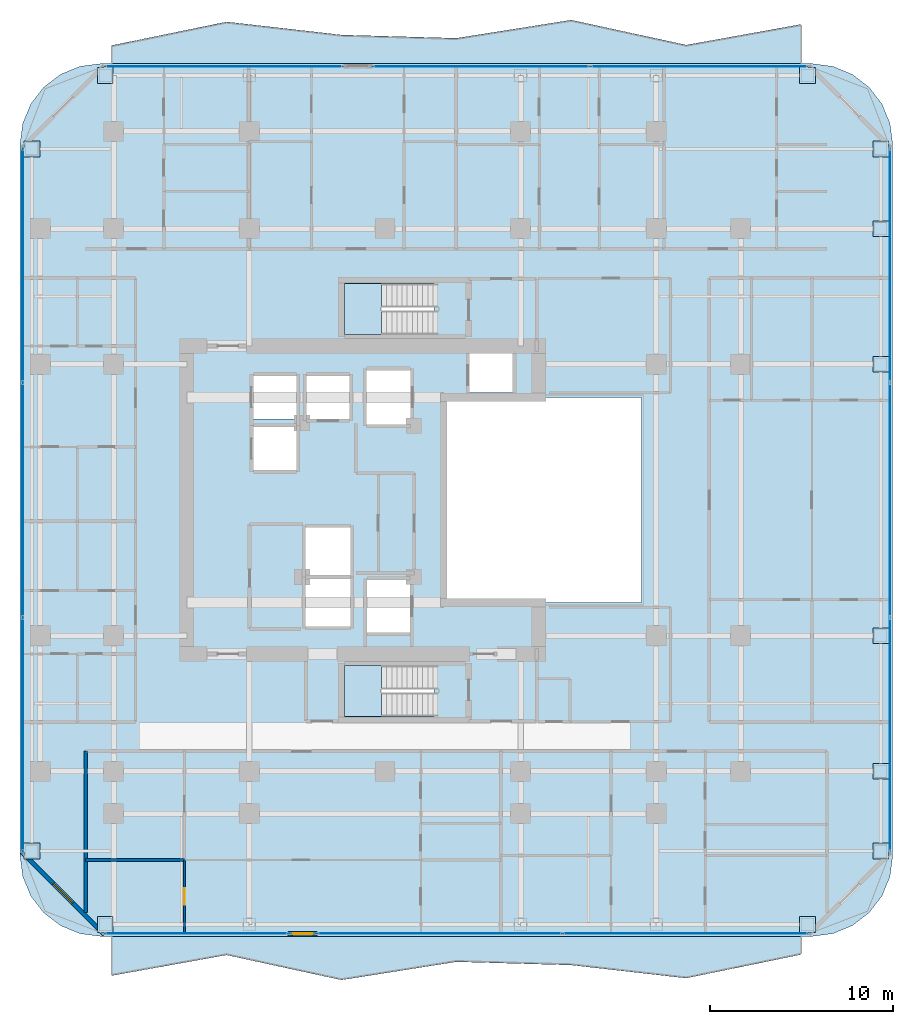
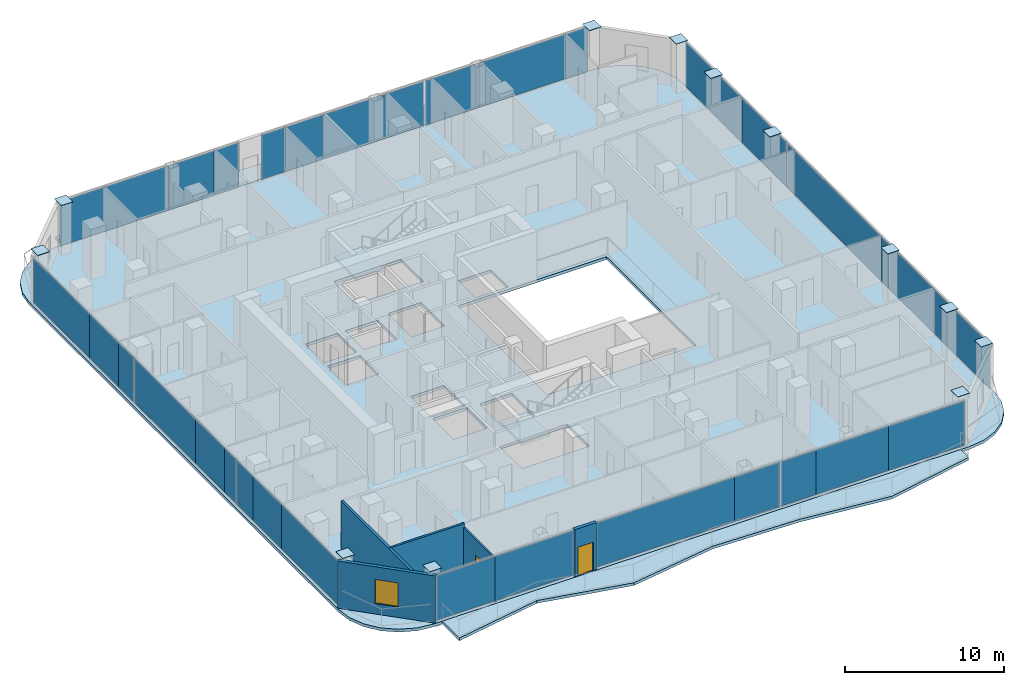
# One storey, part 19 of 27: 44 plates, 5 slabs, 5 walls, 2 doors, 1 window, 3 openings, 8 elements without a shape of their own.
"""IFC4 building model written with IfcOpenShell, lengths in metres."""

from ifc_helpers import new_model, si_unit, direction, frame, frame_2d, origin, origin_2d, place, context, subcontext, project, spatial, polyline, rectangle, outline, extrude, material, layer, layer_set, type_object, element, fill, aggregate, save


model = new_model("IFC4")

# Units and contexts
model_context = context("Model", 3, precision=1e-05, world=origin(), true_north=direction((0.0, 1.0)))
body_context = subcontext(model_context, "Body", "Model", "MODEL_VIEW")
ifc_project = project(units=[si_unit("LENGTHUNIT", "METRE"), si_unit("AREAUNIT", "SQUARE_METRE"), si_unit("VOLUMEUNIT", "CUBIC_METRE"), si_unit("PLANEANGLEUNIT", "RADIAN"), si_unit("MASSUNIT", "GRAM", prefix="KILO")], contexts=[model_context])

# Site, building, storey
site_placement = place(None, origin())
site = spatial("IfcSite", under=ifc_project, at=site_placement, CompositionType="ELEMENT")
building_placement = place(site_placement, origin())
building = spatial("IfcBuilding", under=site, at=building_placement, Name="Khorvyn Point Tower", CompositionType="ELEMENT")
storey_placement = place(building_placement, frame((0.0, 0.0, 164.10009765625)))
storey = spatial("IfcBuildingStorey", under=building, at=storey_placement, Name="L40", CompositionType="ELEMENT", Elevation=164.10009765625)

# Slabs
ifc_material_1 = material(Name="Concrete C35/45", Category="concrete")
ifc_layer_1 = layer(ifc_material_1, 0.219970703125)
ifc_layer_set_1 = layer_set([ifc_layer_1], Name="Concrete C35/45 Structural Floor Slab 220")
slab_type_1 = type_object("IfcSlabType", Name="Concrete C35/45 Structural Floor Slab 220", PredefinedType="FLOOR", material=ifc_layer_set_1)
slab_1_placement = place(storey_placement, frame((0.0, 0.0, -0.22021484375)))
element("IfcSlab", 1, at=slab_1_placement, inside=storey, type_object=slab_type_1, Name="L40 Main Structural Floor Slab", PredefinedType="FLOOR", context=body_context, shape_type="SweptSolid", body=[
    extrude(outline(polyline([(-15.5, -23.800048828125), (-16.638916015625, -23.650146484375), (-17.699951171875, -23.21044921875), (-18.611328125, -22.51123046875), (-19.310546875, -21.60009765625), (-19.75, -20.538818359375), (-19.89990234375, -19.39990234375), (-19.89990234375, 19.39990234375), (-19.75, 20.538818359375), (-19.310546875, 21.60009765625), (-18.611328125, 22.51123046875), (-17.699951171875, 23.21044921875), (-16.638916015625, 23.650146484375), (-15.5, 23.800048828125), (23.300048828125, 23.800048828125), (24.438720703125, 23.650146484375), (25.5, 23.21044921875), (26.411376953125, 22.51123046875), (27.110595703125, 21.60009765625), (27.550048828125, 20.538818359375), (27.699951171875, 19.39990234375), (27.699951171875, -19.39990234375), (27.550048828125, -20.538818359375), (27.110595703125, -21.60009765625), (26.411376953125, -22.51123046875), (25.5, -23.21044921875), (24.438720703125, -23.650146484375), (23.300048828125, -23.800048828125), (-15.5, -23.800048828125)]), holes=[polyline([(-1.875, -6.89990234375), (-1.875, -4.300048828125), (-4.324951171875, -4.300048828125), (-4.324951171875, -6.89990234375), (-1.875, -6.89990234375)]), polyline([(-1.875, -4.10009765625), (-1.875, -1.5), (-4.324951171875, -1.5), (-4.324951171875, -4.10009765625), (-1.875, -4.10009765625)]), polyline([(-4.824951171875, 1.625), (-4.824951171875, 3.97509765625), (-7.175048828125, 3.97509765625), (-7.175048828125, 1.625), (-4.824951171875, 1.625)]), polyline([(-7.175048828125, 4.425048828125), (-4.824951171875, 4.425048828125), (-4.824951171875, 6.77490234375), (-7.175048828125, 6.77490234375), (-7.175048828125, 4.425048828125)]), polyline([(-4.27490234375, 4.425048828125), (-1.925048828125, 4.425048828125), (-1.925048828125, 6.77490234375), (-4.27490234375, 6.77490234375), (-4.27490234375, 4.425048828125)]), polyline([(1.39990234375, 4.125), (1.39990234375, 7.074951171875), (-1.0, 7.074951171875), (-1.0, 4.125), (1.39990234375, 4.125)]), polyline([(-2.199951171875, -11.820068359375), (2.679931640625, -11.820068359375), (2.679931640625, -9.02001953125), (-2.199951171875, -9.02001953125), (-2.199951171875, -11.820068359375)]), polyline([(-0.97509765625, -7.22509765625), (1.375, -7.22509765625), (1.375, -4.375), (-0.97509765625, -4.375), (-0.97509765625, -7.22509765625)]), polyline([(14.0, -5.60009765625), (14.0, 5.60009765625), (3.199951171875, 5.60009765625), (3.199951171875, -5.60009765625), (14.0, -5.60009765625)]), polyline([(4.625, 5.85009765625), (6.97509765625, 5.85009765625), (6.97509765625, 7.97998046875), (4.625, 7.97998046875), (4.625, 5.85009765625)]), polyline([(-2.199951171875, 9.02001953125), (2.679931640625, 9.02001953125), (2.679931640625, 11.820068359375), (-2.199951171875, 11.820068359375), (-2.199951171875, 9.02001953125)])]), origin(), (0.0, 0.0, 1.0), 0.22021484375),
])
ifc_material_2 = material(Name="Concrete C40/50", Category="concrete")
ifc_layer_2 = layer(ifc_material_2, 0.2099609375)
ifc_layer_set_2 = layer_set([ifc_layer_2], Name="Concrete C40/50 Rippling Balcony Slab 210")
slab_type_2 = type_object("IfcSlabType", Name="Concrete C40/50 Rippling Balcony Slab 210", PredefinedType="USERDEFINED", material=ifc_layer_set_2)
slab_2_placement = place(storey_placement, frame((0.0, 0.0, -0.210205078125)))
element("IfcSlab", 2, at=slab_2_placement, inside=storey, type_object=slab_type_2, Name="L40 North Sinusoidal Rippling Balcony", ObjectType="BALCONY", PredefinedType="USERDEFINED", context=body_context, shape_type="SweptSolid", body=[
    extrude(outline(polyline([(22.699951171875, 23.800048828125), (22.699951171875, 25.943603515625), (16.433349609375, 24.817138671875), (10.166748046875, 26.1796875), (3.89990234375, 25.1884765625), (-2.36669921875, 25.36669921875), (-8.63330078125, 26.080810546875), (-14.89990234375, 24.79248046875), (-14.89990234375, 23.800048828125), (22.699951171875, 23.800048828125)])), origin(), (0.0, 0.0, 1.0), 0.210205078125),
])
slab_3_placement = place(storey_placement, frame((0.0, 0.0, -0.210205078125)))
element("IfcSlab", 3, at=slab_3_placement, inside=storey, type_object=slab_type_2, Name="L40 South Sinusoidal Rippling Balcony", ObjectType="BALCONY", PredefinedType="USERDEFINED", context=body_context, shape_type="SweptSolid", body=[
    extrude(outline(polyline([(-14.89990234375, -23.800048828125), (-14.89990234375, -25.943603515625), (-8.63330078125, -24.817138671875), (-2.36669921875, -26.1796875), (3.89990234375, -25.1884765625), (10.166748046875, -25.36669921875), (16.433349609375, -26.080810546875), (22.699951171875, -24.79248046875), (22.699951171875, -23.800048828125), (-14.89990234375, -23.800048828125)])), origin(), (0.0, 0.0, 1.0), 0.210205078125),
])

# Stair, slab
stair_type = type_object("IfcStairType", Name="Tower Concrete C40/50 Dogleg Exit Stair", PredefinedType="HALF_TURN_STAIR", material=ifc_material_2)
stair_1_placement = place(storey_placement, origin())
stair_1 = element("IfcStair", 4, at=stair_1_placement, inside=storey, type_object=stair_type, Name="L40 Tower Smokeproof Exit Stair South", PredefinedType="HALF_TURN_STAIR")
ifc_layer_3 = layer(ifc_material_2, 0.199951171875)
ifc_layer_set_3 = layer_set([ifc_layer_3], Name="Concrete C40/50 Stair Landing Slab 200")
slab_type_3 = type_object("IfcSlabType", Name="Concrete C40/50 Stair Landing Slab 200", PredefinedType="LANDING", material=ifc_layer_set_3)
slab_4_placement = place(storey_placement, frame((0.0, 0.0, 1.75)))
slab_4 = element("IfcSlab", 5, at=slab_4_placement, type_object=slab_type_3, Name="ST-01 landing 1", PredefinedType="LANDING", context=body_context, shape_type="SweptSolid", body=[
    extrude(outline(polyline([(-0.179931640625, -9.02001953125), (-2.199951171875, -9.02001953125), (-2.199951171875, -11.820068359375), (-0.179931640625, -11.820068359375), (-0.179931640625, -9.02001953125)])), origin(), (0.0, 0.0, 1.0), 0.199951171875),
])
aggregate(stair_1, [slab_4])

stair_2_placement = place(storey_placement, origin())
stair_2 = element("IfcStair", 6, at=stair_2_placement, inside=storey, type_object=stair_type, Name="L40 Tower Smokeproof Exit Stair North", PredefinedType="HALF_TURN_STAIR")
slab_5_placement = place(storey_placement, frame((0.0, 0.0, 1.75)))
slab_5 = element("IfcSlab", 7, at=slab_5_placement, type_object=slab_type_3, Name="ST-02 landing 1", PredefinedType="LANDING", context=body_context, shape_type="SweptSolid", body=[
    extrude(outline(polyline([(-0.179931640625, 11.820068359375), (-2.199951171875, 11.820068359375), (-2.199951171875, 9.02001953125), (-0.179931640625, 9.02001953125), (-0.179931640625, 11.820068359375)])), origin(), (0.0, 0.0, 1.0), 0.199951171875),
])
aggregate(stair_2, [slab_5])

# Plates
ifc_material_3 = material(Name="Steel S450", Category="steel")
ifc_layer_4 = layer(ifc_material_3, 0.031982421875)
ifc_layer_set_4 = layer_set([ifc_layer_4], Name="Steel S450 Exoskeleton End Cap Plate 32")
plate_type_1 = type_object("IfcPlateType", Name="Steel S450 Exoskeleton End Cap Plate 32", PredefinedType="USERDEFINED", material=ifc_layer_set_4)
for number, where, z_axis, x_axis, name in (
    (8, (-15.25, -23.14990234375, 3.89404296875), (0.0, 0.0, 1.0), (1.0, 0.0, 0.0), "Plate"),
    (9, (23.050048828125, -23.14990234375, 3.89404296875), (0.0, 0.0, 1.0), (1.0, 0.0, 0.0), "Plate"),
    (10, (-15.25, 23.14990234375, 3.89404296875), (0.0, 0.0, 1.0), (1.0, 0.0, 0.0), "Plate"),
    (11, (23.050048828125, 23.14990234375, 3.89404296875), (0.0, 0.0, 1.0), (1.0, 0.0, 0.0), "Plate"),
    (12, (-19.25, -19.14990234375, 3.89404296875), (0.0, 0.0, 1.0), (1.0, 0.0, 0.0), "Plate"),
    (13, (-19.25, 19.14990234375, 3.89404296875), (0.0, 0.0, 1.0), (1.0, 0.0, 0.0), "Plate"),
    (14, (27.050048828125, -19.14990234375, 3.89404296875), (0.0, 0.0, 1.0), (1.0, 0.0, 0.0), "Plate"),
    (15, (27.050048828125, 19.14990234375, 3.89404296875), (0.0, 0.0, 1.0), (1.0, 0.0, 0.0), "Plate"),
    (16, (27.050048828125, -14.800048828125, 3.89404296875), (0.0, 0.0, 1.0), (1.0, 0.0, 0.0), "Plate"),
    (17, (27.050048828125, -7.39990234375, 3.89404296875), (0.0, 0.0, 1.0), (1.0, 0.0, 0.0), "Plate"),
    (18, (27.050048828125, 7.39990234375, 3.89404296875), (0.0, 0.0, 1.0), (1.0, 0.0, 0.0), "Plate"),
    (19, (27.050048828125, 14.800048828125, 3.89404296875), (0.0, 0.0, 1.0), (1.0, 0.0, 0.0), "Plate"),
):
    element("IfcPlate", number, at=place(storey_placement, frame(where, z_axis=z_axis, x_axis=x_axis)), inside=storey, type_object=plate_type_1, Name=name, ObjectType="GUSSET", PredefinedType="USERDEFINED", context=body_context, shape_type="SweptSolid", body=[
        extrude(rectangle(XDim=0.860107421875, YDim=0.860107421875, at=origin_2d()), origin(), (0.0, 0.0, 1.0), 0.031982421875),
    ])

# Curtain wall, plates
ifc_material_4 = material(Name="Anodised aluminium 6063-T6 and laminated Low-E glass", Category="aluminium")
ifc_layer_5 = layer(ifc_material_4, 0.18994140625)
ifc_layer_set_5 = layer_set([ifc_layer_5], Name="Stick-Built Acoustic Curtain Wall CW-SYS-03")
curtain_wall_type = type_object("IfcCurtainWallType", Name="Stick-Built Acoustic Curtain Wall CW-SYS-03", PredefinedType="NOTDEFINED", material=ifc_layer_set_5)
curtain_wall_1_placement = place(storey_placement, origin())
curtain_wall_1 = element("IfcCurtainWall", 20, at=curtain_wall_1_placement, inside=storey, type_object=curtain_wall_type, Name="Curtain Wall", PredefinedType="NOTDEFINED")
ifc_material_5 = material(Name="Laminated Low-E insulated glass", Category="glass")
ifc_layer_6 = layer(ifc_material_5, 0.028076171875)
ifc_layer_set_6 = layer_set([ifc_layer_6], Name="Tempered Low-E Vision Glazing Panel CW-GL28")
plate_type_2 = type_object("IfcPlateType", Name="Tempered Low-E Vision Glazing Panel CW-GL28", PredefinedType="CURTAIN_PANEL", material=ifc_layer_set_6)
plate_1_placement = place(storey_placement, frame((11.01220703125, -23.64990234375, 0.099853515625), z_axis=(0.0, 0.0, 1.0), x_axis=(-1.0, 0.0, 0.0)))
plate_1 = element("IfcPlate", 21, at=plate_1_placement, type_object=plate_type_2, Name="Panel", PredefinedType="CURTAIN_PANEL", context=body_context, shape_type="SweptSolid", body=[
    extrude(rectangle(XDim=2.527587890625, YDim=0.028076171875, at=origin_2d()), origin(), (0.0, 0.0, 1.0), 3.419921875),
])
plate_2_placement = place(storey_placement, frame((14.907958984375, -23.64990234375, 0.099853515625), z_axis=(0.0, 0.0, 1.0), x_axis=(-1.0, 0.0, 0.0)))
plate_2 = element("IfcPlate", 22, at=plate_2_placement, type_object=plate_type_2, Name="Panel", PredefinedType="CURTAIN_PANEL", context=body_context, shape_type="SweptSolid", body=[
    extrude(rectangle(XDim=5.248046875, YDim=0.028076171875, at=origin_2d()), origin(), (0.0, 0.0, 1.0), 3.419921875),
])
plate_3_placement = place(storey_placement, frame((20.29296875, -23.64990234375, 0.099853515625), z_axis=(0.0, 0.0, 1.0), x_axis=(-1.0, 0.0, 0.0)))
plate_3 = element("IfcPlate", 23, at=plate_3_placement, type_object=plate_type_2, Name="Panel", PredefinedType="CURTAIN_PANEL", context=body_context, shape_type="SweptSolid", body=[
    extrude(rectangle(XDim=5.506103515625, YDim=0.028076171875, at=origin_2d()), origin(), (0.0, 0.0, 1.0), 3.419921875),
])
plate_4_placement = place(storey_placement, frame((1.362548828125, -23.64990234375, 0.099853515625), z_axis=(0.0, 0.0, 1.0), x_axis=(-1.0, 0.0, 0.0)))
plate_4 = element("IfcPlate", 24, at=plate_4_placement, type_object=plate_type_2, Name="Panel", PredefinedType="CURTAIN_PANEL", context=body_context, shape_type="SweptSolid", body=[
    extrude(rectangle(XDim=10.0390625, YDim=0.028076171875, at=origin_2d()), origin(), (0.0, 0.0, 1.0), 3.419921875),
])
plate_5_placement = place(storey_placement, frame((8.01513671875, -23.64990234375, 0.099853515625), z_axis=(0.0, 0.0, 1.0), x_axis=(-1.0, 0.0, 0.0)))
plate_5 = element("IfcPlate", 25, at=plate_5_placement, type_object=plate_type_2, Name="Panel", PredefinedType="CURTAIN_PANEL", context=body_context, shape_type="SweptSolid", body=[
    extrude(rectangle(XDim=3.25048828125, YDim=0.028076171875, at=origin_2d()), origin(), (0.0, 0.0, 1.0), 3.419921875),
])
aggregate(curtain_wall_1, [plate_1, plate_2, plate_3, plate_4, plate_5])

curtain_wall_2_placement = place(storey_placement, origin())
curtain_wall_2 = element("IfcCurtainWall", 26, at=curtain_wall_2_placement, inside=storey, type_object=curtain_wall_type, Name="Curtain Wall", PredefinedType="NOTDEFINED")
plate_6_placement = place(storey_placement, frame((-13.117919921875, -23.64990234375, 0.099853515625), z_axis=(0.0, 0.0, 1.0), x_axis=(-1.0, 0.0, 0.0)))
plate_6 = element("IfcPlate", 27, at=plate_6_placement, type_object=plate_type_2, Name="Panel", PredefinedType="CURTAIN_PANEL", context=body_context, shape_type="SweptSolid", body=[
    extrude(rectangle(XDim=4.256103515625, YDim=0.028076171875, at=origin_2d()), origin(), (0.0, 0.0, 1.0), 3.419921875),
])
plate_7_placement = place(storey_placement, frame((-8.1435546875, -23.64990234375, 0.099853515625), z_axis=(0.0, 0.0, 1.0), x_axis=(-1.0, 0.0, 0.0)))
plate_7 = element("IfcPlate", 28, at=plate_7_placement, type_object=plate_type_2, Name="Panel", PredefinedType="CURTAIN_PANEL", context=body_context, shape_type="SweptSolid", body=[
    extrude(rectangle(XDim=5.677001953125, YDim=0.028076171875, at=origin_2d()), origin(), (0.0, 0.0, 1.0), 3.419921875),
])
aggregate(curtain_wall_2, [plate_6, plate_7])

curtain_wall_3_placement = place(storey_placement, origin())
curtain_wall_3 = element("IfcCurtainWall", 29, at=curtain_wall_3_placement, inside=storey, type_object=curtain_wall_type, Name="Curtain Wall", PredefinedType="NOTDEFINED")
plate_8_placement = place(storey_placement, frame((-11.306396484375, 23.64990234375, 0.099853515625), z_axis=(0.0, 0.0, 1.0), x_axis=(1.0, 0.0, 0.0)))
plate_8 = element("IfcPlate", 30, at=plate_8_placement, type_object=plate_type_2, Name="Panel", PredefinedType="CURTAIN_PANEL", context=body_context, shape_type="SweptSolid", body=[
    extrude(rectangle(XDim=7.87890625, YDim=0.028076171875, at=origin_2d()), origin(), (0.0, 0.0, 1.0), 3.419921875),
])
plate_9_placement = place(storey_placement, frame((-5.7119140625, 23.64990234375, 0.099853515625), z_axis=(0.0, 0.0, 1.0), x_axis=(1.0, 0.0, 0.0)))
plate_9 = element("IfcPlate", 31, at=plate_9_placement, type_object=plate_type_2, Name="Panel", PredefinedType="CURTAIN_PANEL", context=body_context, shape_type="SweptSolid", body=[
    extrude(rectangle(XDim=3.2939453125, YDim=0.028076171875, at=origin_2d()), origin(), (0.0, 0.0, 1.0), 3.419921875),
])
plate_10_placement = place(storey_placement, frame((-3.178466796875, 23.64990234375, 0.099853515625), z_axis=(0.0, 0.0, 1.0), x_axis=(1.0, 0.0, 0.0)))
plate_10 = element("IfcPlate", 32, at=plate_10_placement, type_object=plate_type_2, Name="Panel", PredefinedType="CURTAIN_PANEL", context=body_context, shape_type="SweptSolid", body=[
    extrude(rectangle(XDim=1.757080078125, YDim=0.028076171875, at=origin_2d()), origin(), (0.0, 0.0, 1.0), 3.419921875),
])
aggregate(curtain_wall_3, [plate_8, plate_9, plate_10])

curtain_wall_4_placement = place(storey_placement, origin())
curtain_wall_4 = element("IfcCurtainWall", 33, at=curtain_wall_4_placement, inside=storey, type_object=curtain_wall_type, Name="Curtain Wall", PredefinedType="NOTDEFINED")
plate_11_placement = place(storey_placement, frame((0.22705078125, 23.64990234375, 0.099853515625), z_axis=(0.0, 0.0, 1.0), x_axis=(1.0, 0.0, 0.0)))
plate_11 = element("IfcPlate", 34, at=plate_11_placement, type_object=plate_type_2, Name="Panel", PredefinedType="CURTAIN_PANEL", context=body_context, shape_type="SweptSolid", body=[
    extrude(rectangle(XDim=1.758056640625, YDim=0.028076171875, at=origin_2d()), origin(), (0.0, 0.0, 1.0), 3.419921875),
])
plate_12_placement = place(storey_placement, frame((2.47509765625, 23.64990234375, 0.099853515625), z_axis=(0.0, 0.0, 1.0), x_axis=(1.0, 0.0, 0.0)))
plate_12 = element("IfcPlate", 35, at=plate_12_placement, type_object=plate_type_2, Name="Panel", PredefinedType="CURTAIN_PANEL", context=body_context, shape_type="SweptSolid", body=[
    extrude(rectangle(XDim=2.721923828125, YDim=0.028076171875, at=origin_2d()), origin(), (0.0, 0.0, 1.0), 3.419921875),
])
plate_13_placement = place(storey_placement, frame((7.493408203125, 23.64990234375, 0.099853515625), z_axis=(0.0, 0.0, 1.0), x_axis=(1.0, 0.0, 0.0)))
plate_13 = element("IfcPlate", 36, at=plate_13_placement, type_object=plate_type_2, Name="Panel", PredefinedType="CURTAIN_PANEL", context=body_context, shape_type="SweptSolid", body=[
    extrude(rectangle(XDim=7.299072265625, YDim=0.028076171875, at=origin_2d()), origin(), (0.0, 0.0, 1.0), 3.419921875),
])
plate_14_placement = place(storey_placement, frame((13.205078125, 23.64990234375, 0.099853515625), z_axis=(0.0, 0.0, 1.0), x_axis=(1.0, 0.0, 0.0)))
plate_14 = element("IfcPlate", 37, at=plate_14_placement, type_object=plate_type_2, Name="Panel", PredefinedType="CURTAIN_PANEL", context=body_context, shape_type="SweptSolid", body=[
    extrude(rectangle(XDim=3.907958984375, YDim=0.028076171875, at=origin_2d()), origin(), (0.0, 0.0, 1.0), 3.419921875),
])
plate_15_placement = place(storey_placement, frame((18.29638671875, 23.64990234375, 0.099853515625), z_axis=(0.0, 0.0, 1.0), x_axis=(1.0, 0.0, 0.0)))
plate_15 = element("IfcPlate", 38, at=plate_15_placement, type_object=plate_type_2, Name="Panel", PredefinedType="CURTAIN_PANEL", context=body_context, shape_type="SweptSolid", body=[
    extrude(rectangle(XDim=6.259033203125, YDim=0.028076171875, at=origin_2d()), origin(), (0.0, 0.0, 1.0), 3.419921875),
])
plate_16_placement = place(storey_placement, frame((22.239990234375, 23.64990234375, 0.099853515625), z_axis=(0.0, 0.0, 1.0), x_axis=(1.0, 0.0, 0.0)))
plate_16 = element("IfcPlate", 39, at=plate_16_placement, type_object=plate_type_2, Name="Panel", PredefinedType="CURTAIN_PANEL", context=body_context, shape_type="SweptSolid", body=[
    extrude(rectangle(XDim=1.612060546875, YDim=0.028076171875, at=origin_2d()), origin(), (0.0, 0.0, 1.0), 3.419921875),
])
aggregate(curtain_wall_4, [plate_11, plate_12, plate_13, plate_14, plate_15, plate_16])

curtain_wall_5_placement = place(storey_placement, origin())
curtain_wall_5 = element("IfcCurtainWall", 40, at=curtain_wall_5_placement, inside=storey, type_object=curtain_wall_type, Name="Curtain Wall", PredefinedType="NOTDEFINED")
plate_17_placement = place(storey_placement, frame((-19.75, -15.60498046875, 0.099853515625), z_axis=(0.0, 0.0, 1.0), x_axis=(0.0, 1.0, 0.0)))
plate_17 = element("IfcPlate", 41, at=plate_17_placement, type_object=plate_type_2, Name="Panel", PredefinedType="CURTAIN_PANEL", context=body_context, shape_type="SweptSolid", body=[
    extrude(rectangle(XDim=7.08203125, YDim=0.028076171875, at=origin_2d()), origin(), (0.0, 0.0, 1.0), 3.419921875),
])
plate_18_placement = place(storey_placement, frame((-19.75, -10.257080078125, 0.099853515625), z_axis=(0.0, 0.0, 1.0), x_axis=(0.0, 1.0, 0.0)))
plate_18 = element("IfcPlate", 42, at=plate_18_placement, type_object=plate_type_2, Name="Panel", PredefinedType="CURTAIN_PANEL", context=body_context, shape_type="SweptSolid", body=[
    extrude(rectangle(XDim=3.597900390625, YDim=0.028076171875, at=origin_2d()), origin(), (0.0, 0.0, 1.0), 3.419921875),
])
plate_19_placement = place(storey_placement, frame((-19.75, -7.460205078125, 0.099853515625), z_axis=(0.0, 0.0, 1.0), x_axis=(0.0, 1.0, 0.0)))
plate_19 = element("IfcPlate", 43, at=plate_19_placement, type_object=plate_type_2, Name="Panel", PredefinedType="CURTAIN_PANEL", context=body_context, shape_type="SweptSolid", body=[
    extrude(rectangle(XDim=1.979248046875, YDim=0.028076171875, at=origin_2d()), origin(), (0.0, 0.0, 1.0), 3.419921875),
])
plate_20_placement = place(storey_placement, frame((-19.75, -5.622802734375, 0.099853515625), z_axis=(0.0, 0.0, 1.0), x_axis=(0.0, 1.0, 0.0)))
plate_20 = element("IfcPlate", 44, at=plate_20_placement, type_object=plate_type_2, Name="Panel", PredefinedType="CURTAIN_PANEL", context=body_context, shape_type="SweptSolid", body=[
    extrude(rectangle(XDim=1.479736328125, YDim=0.028076171875, at=origin_2d()), origin(), (0.0, 0.0, 1.0), 3.419921875),
])
plate_21_placement = place(storey_placement, frame((-19.75, -3.051513671875, 0.099853515625), z_axis=(0.0, 0.0, 1.0), x_axis=(0.0, 1.0, 0.0)))
plate_21 = element("IfcPlate", 45, at=plate_21_placement, type_object=plate_type_2, Name="Panel", PredefinedType="CURTAIN_PANEL", context=body_context, shape_type="SweptSolid", body=[
    extrude(rectangle(XDim=3.64697265625, YDim=0.028076171875, at=origin_2d()), origin(), (0.0, 0.0, 1.0), 3.419921875),
])
plate_22_placement = place(storey_placement, frame((-19.75, 2.5712890625, 0.099853515625), z_axis=(0.0, 0.0, 1.0), x_axis=(0.0, 1.0, 0.0)))
plate_22 = element("IfcPlate", 46, at=plate_22_placement, type_object=plate_type_2, Name="Panel", PredefinedType="CURTAIN_PANEL", context=body_context, shape_type="SweptSolid", body=[
    extrude(rectangle(XDim=7.582763671875, YDim=0.028076171875, at=origin_2d()), origin(), (0.0, 0.0, 1.0), 3.419921875),
])
plate_23_placement = place(storey_placement, frame((-19.75, 7.460205078125, 0.099853515625), z_axis=(0.0, 0.0, 1.0), x_axis=(0.0, 1.0, 0.0)))
plate_23 = element("IfcPlate", 47, at=plate_23_placement, type_object=plate_type_2, Name="Panel", PredefinedType="CURTAIN_PANEL", context=body_context, shape_type="SweptSolid", body=[
    extrude(rectangle(XDim=1.979248046875, YDim=0.028076171875, at=origin_2d()), origin(), (0.0, 0.0, 1.0), 3.419921875),
])
plate_24_placement = place(storey_placement, frame((-19.75, 10.257080078125, 0.099853515625), z_axis=(0.0, 0.0, 1.0), x_axis=(0.0, 1.0, 0.0)))
plate_24 = element("IfcPlate", 48, at=plate_24_placement, type_object=plate_type_2, Name="Panel", PredefinedType="CURTAIN_PANEL", context=body_context, shape_type="SweptSolid", body=[
    extrude(rectangle(XDim=3.597900390625, YDim=0.028076171875, at=origin_2d()), origin(), (0.0, 0.0, 1.0), 3.419921875),
])
plate_25_placement = place(storey_placement, frame((-19.75, 15.60498046875, 0.099853515625), z_axis=(0.0, 0.0, 1.0), x_axis=(0.0, 1.0, 0.0)))
plate_25 = element("IfcPlate", 49, at=plate_25_placement, type_object=plate_type_2, Name="Panel", PredefinedType="CURTAIN_PANEL", context=body_context, shape_type="SweptSolid", body=[
    extrude(rectangle(XDim=7.08203125, YDim=0.028076171875, at=origin_2d()), origin(), (0.0, 0.0, 1.0), 3.419921875),
])
aggregate(curtain_wall_5, [plate_17, plate_18, plate_19, plate_20, plate_21, plate_22, plate_23, plate_24, plate_25])

curtain_wall_6_placement = place(storey_placement, origin())
curtain_wall_6 = element("IfcCurtainWall", 50, at=curtain_wall_6_placement, inside=storey, type_object=curtain_wall_type, Name="Curtain Wall", PredefinedType="NOTDEFINED")
plate_26_placement = place(storey_placement, frame((27.550048828125, 9.26318359375, 0.099853515625), z_axis=(0.0, 0.0, 1.0), x_axis=(0.0, -1.0, 0.0)))
plate_26 = element("IfcPlate", 51, at=plate_26_placement, type_object=plate_type_2, Name="Panel", PredefinedType="CURTAIN_PANEL", context=body_context, shape_type="SweptSolid", body=[
    extrude(rectangle(XDim=5.585205078125, YDim=0.028076171875, at=origin_2d()), origin(), (0.0, 0.0, 1.0), 3.419921875),
])
plate_27_placement = place(storey_placement, frame((27.550048828125, 15.60498046875, 0.099853515625), z_axis=(0.0, 0.0, 1.0), x_axis=(0.0, -1.0, 0.0)))
plate_27 = element("IfcPlate", 52, at=plate_27_placement, type_object=plate_type_2, Name="Panel", PredefinedType="CURTAIN_PANEL", context=body_context, shape_type="SweptSolid", body=[
    extrude(rectangle(XDim=7.08203125, YDim=0.028076171875, at=origin_2d()), origin(), (0.0, 0.0, 1.0), 3.419921875),
])
plate_28_placement = place(storey_placement, frame((27.550048828125, -5.931396484375, 0.099853515625), z_axis=(0.0, 0.0, 1.0), x_axis=(0.0, -1.0, 0.0)))
plate_28 = element("IfcPlate", 53, at=plate_28_placement, type_object=plate_type_2, Name="Panel", PredefinedType="CURTAIN_PANEL", context=body_context, shape_type="SweptSolid", body=[
    extrude(rectangle(XDim=0.86279296875, YDim=0.028076171875, at=origin_2d()), origin(), (0.0, 0.0, 1.0), 3.419921875),
])
plate_29_placement = place(storey_placement, frame((27.550048828125, 0.0, 0.099853515625), z_axis=(0.0, 0.0, 1.0), x_axis=(0.0, -1.0, 0.0)))
plate_29 = element("IfcPlate", 54, at=plate_29_placement, type_object=plate_type_2, Name="Panel", PredefinedType="CURTAIN_PANEL", context=body_context, shape_type="SweptSolid", body=[
    extrude(rectangle(XDim=10.98388671875, YDim=0.028076171875, at=origin_2d()), origin(), (0.0, 0.0, 1.0), 3.419921875),
])
plate_30_placement = place(storey_placement, frame((27.550048828125, 5.931396484375, 0.099853515625), z_axis=(0.0, 0.0, 1.0), x_axis=(0.0, -1.0, 0.0)))
plate_30 = element("IfcPlate", 55, at=plate_30_placement, type_object=plate_type_2, Name="Panel", PredefinedType="CURTAIN_PANEL", context=body_context, shape_type="SweptSolid", body=[
    extrude(rectangle(XDim=0.86279296875, YDim=0.028076171875, at=origin_2d()), origin(), (0.0, 0.0, 1.0), 3.419921875),
])
plate_31_placement = place(storey_placement, frame((27.550048828125, -15.60498046875, 0.099853515625), z_axis=(0.0, 0.0, 1.0), x_axis=(0.0, -1.0, 0.0)))
plate_31 = element("IfcPlate", 56, at=plate_31_placement, type_object=plate_type_2, Name="Panel", PredefinedType="CURTAIN_PANEL", context=body_context, shape_type="SweptSolid", body=[
    extrude(rectangle(XDim=7.08203125, YDim=0.028076171875, at=origin_2d()), origin(), (0.0, 0.0, 1.0), 3.419921875),
])
plate_32_placement = place(storey_placement, frame((27.550048828125, -9.26318359375, 0.099853515625), z_axis=(0.0, 0.0, 1.0), x_axis=(0.0, -1.0, 0.0)))
plate_32 = element("IfcPlate", 57, at=plate_32_placement, type_object=plate_type_2, Name="Panel", PredefinedType="CURTAIN_PANEL", context=body_context, shape_type="SweptSolid", body=[
    extrude(rectangle(XDim=5.585205078125, YDim=0.028076171875, at=origin_2d()), origin(), (0.0, 0.0, 1.0), 3.419921875),
])
aggregate(curtain_wall_6, [plate_26, plate_27, plate_28, plate_29, plate_30, plate_31, plate_32])

# Wall
ifc_material_6 = material(Name="Double acoustic gypsum on twin steel stud", Category="steel")
ifc_layer_7 = layer(ifc_material_6, 0.179931640625)
ifc_layer_set_7 = layer_set([ifc_layer_7], Name="Acoustic Double-Stud Apartment Demising Wall 180")
wall_type_1 = type_object("IfcWallType", Name="Acoustic Double-Stud Apartment Demising Wall 180", PredefinedType="PARTITIONING", material=ifc_layer_set_7)
wall_1_placement = place(storey_placement, frame((-16.320068359375, -22.510009765625, 0.0), z_axis=(0.0, 0.0, 1.0), x_axis=(0.0, 1.0, 0.0)))
element("IfcWall", 58, at=wall_1_placement, inside=storey, type_object=wall_type_1, Name="Wall", PredefinedType="PARTITIONING", context=body_context, shape_type="SweptSolid", body=[
    extrude(rectangle(XDim=8.81005859375, YDim=0.179931640625, at=frame_2d((4.405029296875, 0.0))), origin(), (0.0, 0.0, 1.0), 3.619873046875),
])

# Wall, opening, door
ifc_material_7 = material(Name="Pale anodised aluminium rainscreen on steel stud", Category="steel")
ifc_layer_8 = layer(ifc_material_7, 0.239990234375)
ifc_layer_set_8 = layer_set([ifc_layer_8], Name="Anodised Aluminium Insulated Corner Spandrel Wall 240")
wall_type_2 = type_object("IfcWallType", Name="Anodised Aluminium Insulated Corner Spandrel Wall 240", PredefinedType="SOLIDWALL", material=ifc_layer_set_8)
wall_2_placement = place(storey_placement, frame((-3.69091796875, -23.64990234375, 0.0), z_axis=(0.0, 0.0, 1.0), x_axis=(-1.0, 0.0, 0.0)))
wall_2 = element("IfcWall", 59, at=wall_2_placement, inside=storey, type_object=wall_type_2, Name="L40 South Outdoor Threshold Wall", PredefinedType="SOLIDWALL", context=body_context, shape_type="SweptSolid", body=[
    extrude(rectangle(XDim=1.580078125, YDim=0.239990234375, at=frame_2d((0.7900390625, 0.0))), origin(), (0.0, 0.0, 1.0), 3.619873046875),
])
opening_1_placement = place(wall_2_placement, frame((0.239990234375, 0.0, 0.0)))
opening_1 = element("IfcOpeningElement", 60, at=opening_1_placement, cuts=wall_2, Name="Opening BD-1122", PredefinedType="OPENING", context=body_context, shape_type="SweptSolid", body=[
    extrude(rectangle(XDim=1.10009765625, YDim=2.199951171875, at=frame_2d((0.550048828125, 1.10009765625))), frame((0.0, 0.1298828125, 0.0), z_axis=(0.0, -1.0, 0.0), x_axis=(1.0, 0.0, 0.0)), (0.0, 0.0, 1.0), 0.260009765625),
])
door_type_1 = type_object("IfcDoorType", Name="Glazed Balcony and Terrace Threshold Door 1100x2200", OperationType="NOTDEFINED", PredefinedType="DOOR", material=ifc_material_4)
door_1_placement = place(opening_1_placement, origin())
door_1 = element("IfcDoor", 61, at=door_1_placement, inside=storey, type_object=door_type_1, Name="L40 South Glazed Balcony Outdoor Door", OperationType="SINGLE_SWING_RIGHT", OverallHeight=2.199951171875, OverallWidth=1.10009765625, PredefinedType="DOOR", context=body_context, shape_type="SweptSolid", body=[
    extrude(rectangle(XDim=1.10009765625, YDim=2.199951171875, at=frame_2d((0.550048828125, 1.10009765625))), frame((0.0, 0.02490234375, 0.0), z_axis=(0.0, -1.0, 0.0), x_axis=(1.0, 0.0, 0.0)), (0.0, 0.0, 1.0), 0.050048828125),
])
fill(opening_1, door_1)

# Wall, opening, window
wall_3_placement = place(storey_placement, frame((-15.3076171875, -23.6923828125, 0.0), z_axis=(0.0, 0.0, 1.0), x_axis=(-0.707106781187, 0.707106781187, 0.0)))
wall_3 = element("IfcWall", 62, at=wall_3_placement, inside=storey, type_object=wall_type_2, Name="L40 Rounded Corner Wall SW", PredefinedType="SOLIDWALL", context=body_context, shape_type="SweptSolid", body=[
    extrude(rectangle(XDim=6.342529296875, YDim=0.239990234375, at=frame_2d((3.17138671875, 0.0))), origin(), (0.0, 0.0, 1.0), 3.619873046875),
])
opening_2_placement = place(wall_3_placement, frame((2.42138671875, 0.0, 0.800048828125)))
opening_2 = element("IfcOpeningElement", 63, at=opening_2_placement, cuts=wall_3, Name="Opening WN-1518", PredefinedType="OPENING", context=body_context, shape_type="SweptSolid", body=[
    extrude(rectangle(XDim=1.5, YDim=1.85009765625, at=frame_2d((0.75, 0.925048828125))), frame((0.0, 0.1298828125, 0.0), z_axis=(0.0, -1.0, 0.0), x_axis=(1.0, 0.0, 0.0)), (0.0, 0.0, 1.0), 0.260009765625),
])
window_type = type_object("IfcWindowType", Name="Anodised Aluminium Rounded-Corner Panoramic Window 1500x1850", PartitioningType="SINGLE_PANEL", PredefinedType="WINDOW", material=ifc_material_4)
window_placement = place(opening_2_placement, origin())
window = element("IfcWindow", 64, at=window_placement, inside=storey, type_object=window_type, Name="L40 Corner Panoramic Window SW", OverallHeight=1.85009765625, OverallWidth=1.5, PartitioningType="SINGLE_PANEL", PredefinedType="WINDOW", context=body_context, shape_type="SweptSolid", body=[
    extrude(rectangle(XDim=1.5, YDim=1.85009765625, at=frame_2d((0.75, 0.925048828125))), frame((0.0, 0.030029296875, 0.0), z_axis=(0.0, -1.0, 0.0), x_axis=(1.0, 0.0, 0.0)), (0.0, 0.0, 1.0), 0.06005859375),
])
fill(opening_2, window)

# Wall, opening, door
ifc_material_8 = material(Name="Gypsum plasterboard on steel stud", Category="steel")
ifc_layer_9 = layer(ifc_material_8, 0.1201171875)
ifc_layer_set_9 = layer_set([ifc_layer_9], Name="Gypsum Acoustic Stud Room Partition Wall 120")
wall_type_3 = type_object("IfcWallType", Name="Gypsum Acoustic Stud Room Partition Wall 120", PredefinedType="PARTITIONING", material=ifc_layer_set_9)
wall_4_placement = place(storey_placement, frame((-10.926025390625, -23.6298828125, 0.0), z_axis=(0.0, 0.0, 1.0), x_axis=(0.0, 1.0, 0.0)))
wall_4 = element("IfcWall", 65, at=wall_4_placement, inside=storey, type_object=wall_type_3, Name="Wall", PredefinedType="PARTITIONING", context=body_context, shape_type="SweptSolid", body=[
    extrude(rectangle(XDim=3.995849609375, YDim=0.1201171875, at=frame_2d((1.998046875, 0.0))), origin(), (0.0, 0.0, 1.0), 3.309814453125),
])
opening_3_placement = place(wall_4_placement, frame((1.548095703125, 0.0, 0.0)))
opening_3 = element("IfcOpeningElement", 66, at=opening_3_placement, cuts=wall_4, Name="Opening ID-RM90", PredefinedType="OPENING", context=body_context, shape_type="SweptSolid", body=[
    extrude(rectangle(XDim=0.89990234375, YDim=2.10009765625, at=frame_2d((0.449951171875, 1.050048828125))), frame((0.0, 0.070068359375, 0.0), z_axis=(0.0, -1.0, 0.0), x_axis=(1.0, 0.0, 0.0)), (0.0, 0.0, 1.0), 0.14013671875),
])
ifc_material_9 = material(Name="Engineered oak veneer timber", Category="wood")
door_type_2 = type_object("IfcDoorType", Name="Flush Engineered Timber Room Door 900x2100", OperationType="NOTDEFINED", PredefinedType="DOOR", material=ifc_material_9)
door_2_placement = place(opening_3_placement, origin())
door_2 = element("IfcDoor", 67, at=door_2_placement, inside=storey, type_object=door_type_2, Name="Door", OperationType="SINGLE_SWING_RIGHT", OverallHeight=2.10009765625, OverallWidth=0.89990234375, PredefinedType="DOOR", context=body_context, shape_type="SweptSolid", body=[
    extrude(rectangle(XDim=0.89990234375, YDim=2.10009765625, at=frame_2d((0.449951171875, 1.050048828125))), frame((0.0, 0.02490234375, 0.0), z_axis=(0.0, -1.0, 0.0), x_axis=(1.0, 0.0, 0.0)), (0.0, 0.0, 1.0), 0.050048828125),
])
fill(opening_3, door_2)

# Wall
ifc_material_10 = material(Name="Moisture-resistant gypsum and cement board", Category="gypsum")
ifc_layer_10 = layer(ifc_material_10, 0.14990234375)
ifc_layer_set_10 = layer_set([ifc_layer_10], Name="Moisture-Resistant Wet-Room Partition Wall 150")
wall_type_4 = type_object("IfcWallType", Name="Moisture-Resistant Wet-Room Partition Wall 150", PredefinedType="PARTITIONING", material=ifc_layer_set_10)
wall_5_placement = place(storey_placement, frame((-16.320068359375, -19.634033203125, 0.0), z_axis=(0.0, 0.0, 1.0), x_axis=(1.0, 0.0, 0.0)))
element("IfcWall", 68, at=wall_5_placement, inside=storey, type_object=wall_type_4, Name="Wall", PredefinedType="PARTITIONING", context=body_context, shape_type="SweptSolid", body=[
    extrude(rectangle(XDim=5.39404296875, YDim=0.14990234375, at=frame_2d((2.697021484375, 0.0))), origin(), (0.0, 0.0, 1.0), 3.619873046875),
])

save(model, "model.ifc")
